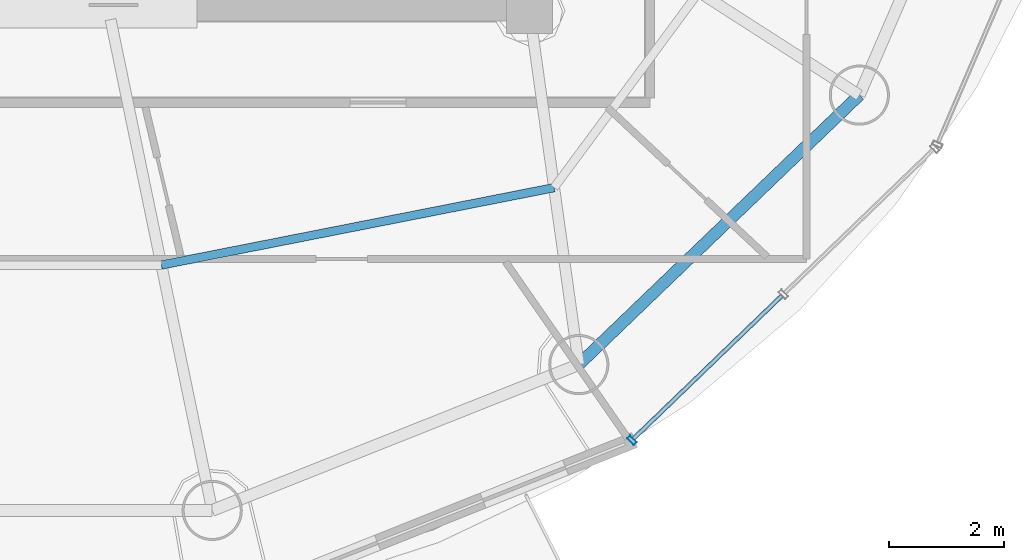
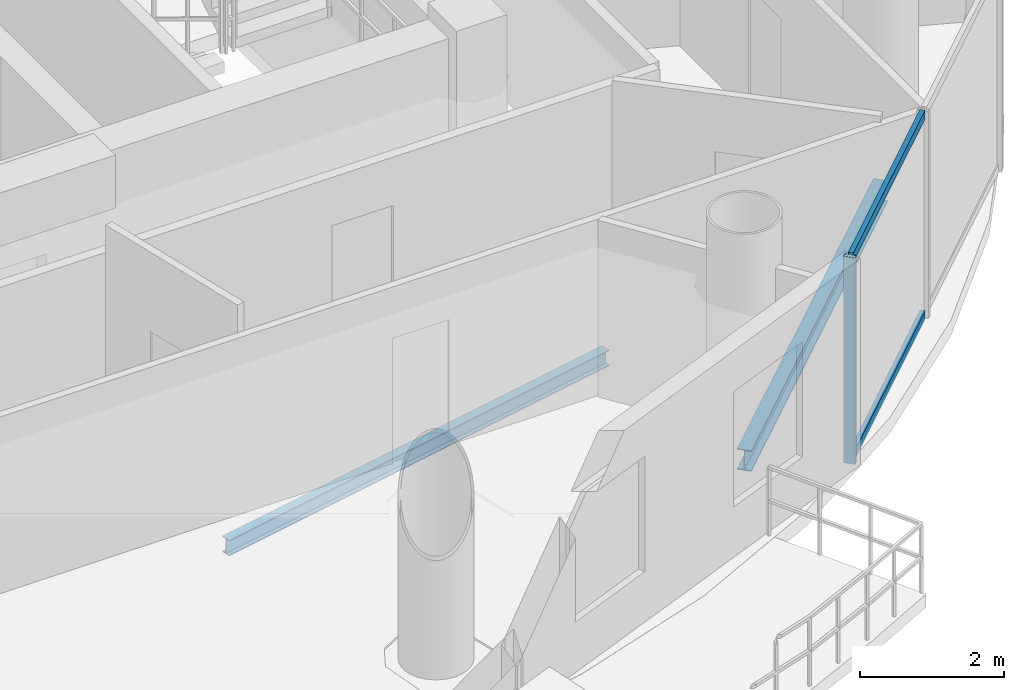
# One storey, part 6 of 23: 3 members, 2 beams, 1 element without a shape of its own.
"""IFC4 building model written with IfcOpenShell, lengths in metres."""

from ifc_helpers import new_model, si_unit, direction, frame, origin, origin_2d, place, context, subcontext, project, spatial, hollow_rectangle, i_section, extrude, source, transform, mapped, material, material_profile, profile_set, type_object, element, aggregate, save


model = new_model("IFC4")

# Units and contexts
model_context = context("Model", 3, precision=1e-05, world=origin(), true_north=direction((-0.2419218956, 0.970295726276)))
body_context = subcontext(model_context, "Body", "Model", "MODEL_VIEW")
ifc_project = project(units=[si_unit("LENGTHUNIT", "METRE"), si_unit("AREAUNIT", "SQUARE_METRE"), si_unit("VOLUMEUNIT", "CUBIC_METRE"), si_unit("PLANEANGLEUNIT", "RADIAN"), si_unit("MASSUNIT", "GRAM", prefix="KILO")], contexts=[model_context])

# Site, building, storey
site_placement = place(None, origin())
site = spatial("IfcSite", under=ifc_project, at=site_placement, CompositionType="ELEMENT")
building_placement = place(site_placement, origin())
building = spatial("IfcBuilding", under=site, at=building_placement, Name="Cobrevalo Terracotta Tower", CompositionType="ELEMENT")
storey_placement = place(building_placement, frame((0.0, 0.0, 255.699951171875)))
storey = spatial("IfcBuildingStorey", under=building, at=storey_placement, Name="L67", CompositionType="ELEMENT", Elevation=255.699951171875)

# Beams
ifc_material_1 = material(Name="Steel S355", Category="steel")
ifc_material_profile_1 = material_profile(ifc_material_1, i_section(OverallWidth=0.14794921875, OverallDepth=0.26611328125, WebThickness=0.007568359375, FlangeThickness=0.012939453125, at=origin_2d()), Name="W 250x44.8")
ifc_profile_set_1 = profile_set([ifc_material_profile_1], Name="Steel S355")
beam_type_1 = type_object("IfcBeamType", Name="Structural Joist W 250x44.8 (Steel S355)", PredefinedType="JOIST", material=ifc_profile_set_1)
beam_1_placement = place(storey_placement, frame((40.57568359375, 14.361328125, -0.39306640625), z_axis=(0.981145060421, 0.193272787563, 0.0), x_axis=(-0.193272787563, 0.981145060421, 0.0)))
element("IfcBeam", 1, at=beam_1_placement, inside=storey, type_object=beam_type_1, Name="L67 circumferential secondary floor joist 13", PredefinedType="JOIST", context=body_context, shape_type="SweptSolid", body=[
    extrude(i_section(OverallWidth=0.14794921875, OverallDepth=0.26611328125, WebThickness=0.007568359375, FlangeThickness=0.012939453125, at=origin_2d()), origin(), (0.0, 0.0, 1.0), 6.98681640625),
])
ifc_material_profile_2 = material_profile(ifc_material_1, i_section(OverallWidth=0.205078125, OverallDepth=0.35400390625, WebThickness=0.009521484375, FlangeThickness=0.016845703125, at=origin_2d()), Name="W 360x79")
ifc_profile_set_2 = profile_set([ifc_material_profile_2], Name="Steel S355")
beam_type_2 = type_object("IfcBeamType", Name="Structural Spandrel W 360x79 (Steel S355)", PredefinedType="SPANDREL", material=ifc_profile_set_2)
beam_2_placement = place(storey_placement, frame((47.861328125, 12.62353515625, -0.43701171875), z_axis=(0.721183246144, 0.692744343522, 0.0), x_axis=(-0.692744343522, 0.721183246144, 0.0)))
element("IfcBeam", 2, at=beam_2_placement, inside=storey, type_object=beam_type_2, Name="L67 perimeter ring spandrel 14", PredefinedType="SPANDREL", context=body_context, shape_type="SweptSolid", body=[
    extrude(i_section(OverallWidth=0.205078125, OverallDepth=0.35400390625, WebThickness=0.009521484375, FlangeThickness=0.016845703125, at=origin_2d()), origin(), (0.0, 0.0, 1.0), 6.79052734375),
])

# Curtain wall, members
ifc_material_2 = material(Name="Anodized aluminium", Category="aluminium")
curtain_wall_type = type_object("IfcCurtainWallType", Name="Upper-tower triple-glazed penthouse curtain wall CW-U3", PredefinedType="NOTDEFINED", material=ifc_material_2)
curtain_wall_placement = place(storey_placement, origin())
curtain_wall = element("IfcCurtainWall", 3, at=curtain_wall_placement, inside=storey, type_object=curtain_wall_type, Name="L67 curtain wall CW-L67-S14", PredefinedType="NOTDEFINED")
ifc_material_profile_3 = material_profile(ifc_material_2, hollow_rectangle(XDim=0.070068359375, YDim=0.169921875, WallThickness=0.00439453125, at=origin_2d()), Name="CWM 70x170")
ifc_profile_set_3 = profile_set([ifc_material_profile_3], Name="Anodized aluminium")
member_type_1 = type_object("IfcMemberType", Name="Upper tower unitised mullion 70x170", PredefinedType="MULLION", material=ifc_profile_set_3)
shared_shape_1 = source(origin(), body_context, "Body", "SweptSolid", [
    extrude(hollow_rectangle(XDim=0.070068359375, YDim=0.169921875, WallThickness=0.00439453125, at=origin_2d()), origin(), (0.0, 0.0, 1.0), 3.489990234375),
])
member_1_placement = place(storey_placement, frame((48.790283203125, 11.30419921875, 0.0), z_axis=(0.0, 0.0, 1.0), x_axis=(0.71999418085, 0.69398010025, 0.0)))
member_1 = element("IfcMember", 4, at=member_1_placement, type_object=member_type_1, Name="CW-L67-S14 vertical mullion 01", PredefinedType="MULLION", context=body_context, shape_type="MappedRepresentation", body=[
    mapped(shared_shape_1, transform((0.0, 0.0, 0.0), scale=1.0)),
])
ifc_material_profile_4 = material_profile(ifc_material_2, hollow_rectangle(XDim=0.074951171875, YDim=0.14990234375, WallThickness=0.00439453125, at=origin_2d()), Name="CWT 75x150")
ifc_profile_set_4 = profile_set([ifc_material_profile_4], Name="Anodized aluminium")
member_type_2 = type_object("IfcMemberType", Name="Tower unitised aluminium transom 75x150", PredefinedType="USERDEFINED", material=ifc_profile_set_4)
shared_shape_2 = source(origin(), body_context, "Body", "SweptSolid", [
    extrude(hollow_rectangle(XDim=0.074951171875, YDim=0.14990234375, WallThickness=0.00439453125, at=origin_2d()), origin(), (0.0, 0.0, 1.0), 3.59130859375),
])
member_2_placement = place(storey_placement, frame((48.819091796875, 11.33203125, 0.050048828125), z_axis=(0.720005628362, 0.693968223427, 0.0), x_axis=(-0.693968223427, 0.720005628362, 0.0)))
member_2 = element("IfcMember", 5, at=member_2_placement, type_object=member_type_2, Name="CW-L67-S14 transom B01-T1", ObjectType="TRANSOM", PredefinedType="USERDEFINED", context=body_context, shape_type="MappedRepresentation", body=[
    mapped(shared_shape_2, transform((0.0, 0.0, 0.0), scale=1.0)),
])
member_3_placement = place(storey_placement, frame((48.819091796875, 11.33203125, 3.43994140625), z_axis=(0.720005628362, 0.693968223427, 0.0), x_axis=(-0.693968223427, 0.720005628362, 0.0)))
member_3 = element("IfcMember", 6, at=member_3_placement, type_object=member_type_2, Name="CW-L67-S14 transom B01-T2", ObjectType="TRANSOM", PredefinedType="USERDEFINED", context=body_context, shape_type="MappedRepresentation", body=[
    mapped(shared_shape_2, transform((0.0, 0.0, 0.0), scale=1.0)),
])
aggregate(curtain_wall, [member_1, member_2, member_3])

save(model, "model.ifc")
